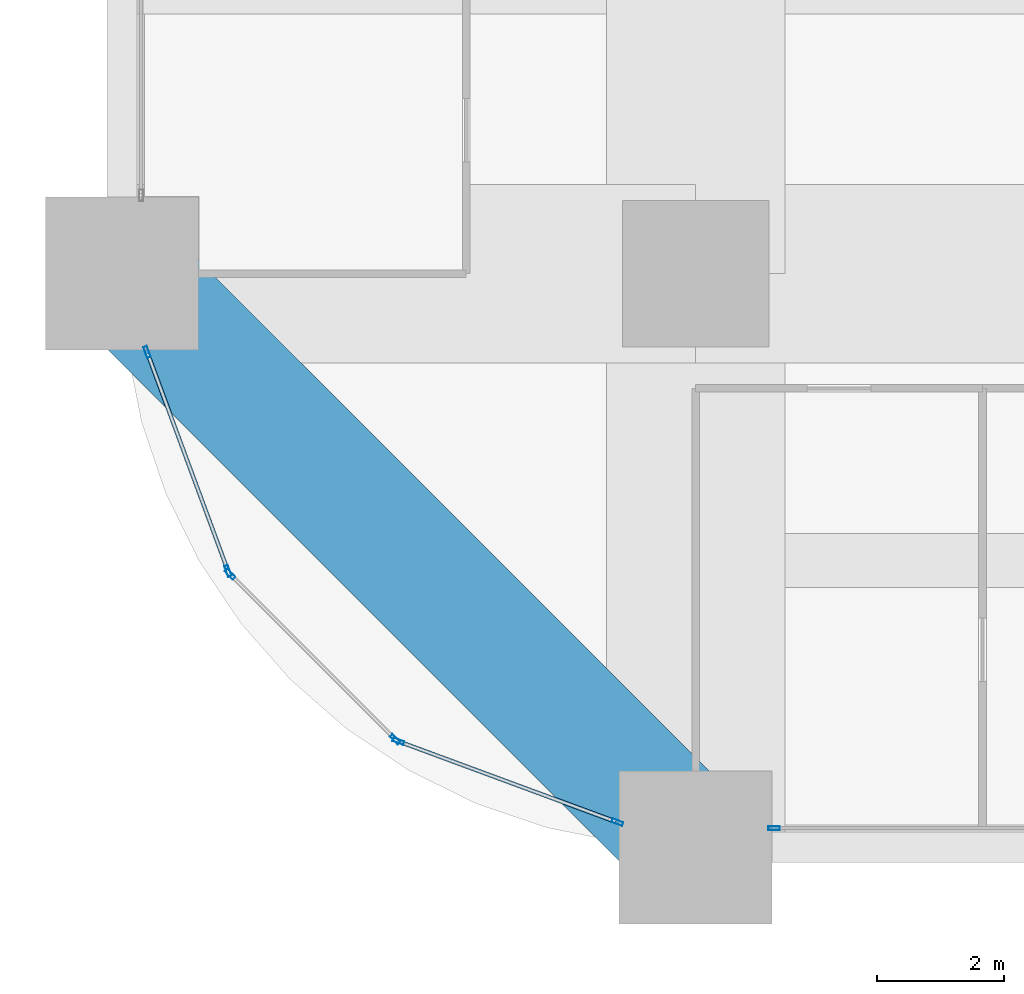
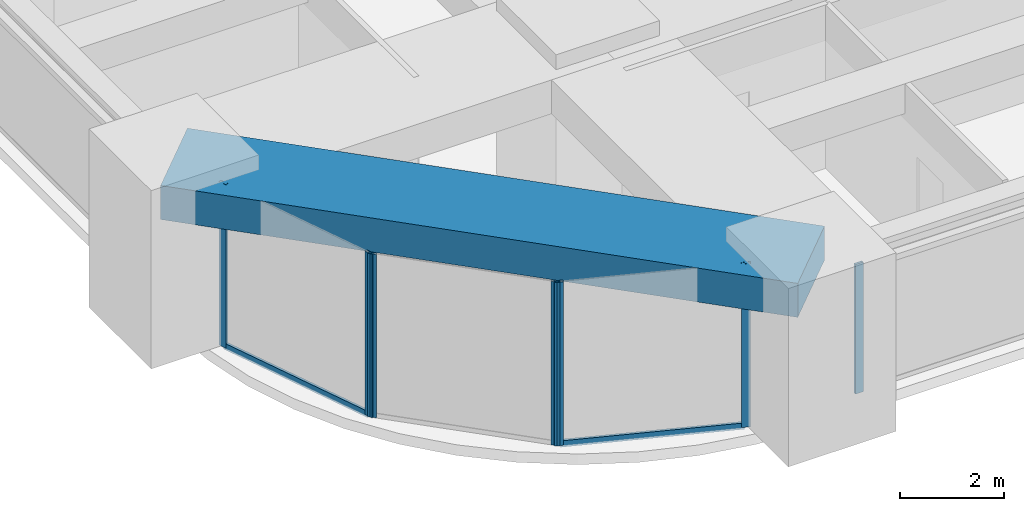
# One storey, part 2 of 42: 9 members, 1 beam, 4 elements without a shape of their own.
"""IFC4 building model written with IfcOpenShell, lengths in metres."""

from ifc_helpers import new_model, si_unit, direction, frame, origin, origin_2d, place, context, subcontext, project, spatial, rectangle, hollow_rectangle, extrude, material, material_profile, profile_set, type_object, element, aggregate, save


model = new_model("IFC4")

# Units and contexts
model_context = context("Model", 3, precision=1e-05, world=origin(), true_north=direction((0.0, 1.0)))
body_context = subcontext(model_context, "Body", "Model", "MODEL_VIEW")
ifc_project = project(units=[si_unit("LENGTHUNIT", "METRE"), si_unit("AREAUNIT", "SQUARE_METRE"), si_unit("VOLUMEUNIT", "CUBIC_METRE"), si_unit("PLANEANGLEUNIT", "RADIAN"), si_unit("MASSUNIT", "GRAM", prefix="KILO")], contexts=[model_context])

# Site, building, storey
site_placement = place(None, origin())
site = spatial("IfcSite", under=ifc_project, at=site_placement, CompositionType="ELEMENT")
building_placement = place(site_placement, origin())
building = spatial("IfcBuilding", under=site, at=building_placement, Name="Zorevar Civic Tower", CompositionType="ELEMENT")
storey_placement = place(building_placement, frame((0.0, 0.0, 75.800048828125)))
storey = spatial("IfcBuildingStorey", under=building, at=storey_placement, Name="L18", CompositionType="ELEMENT", Elevation=75.800048828125)

# Curtain wall, member
ifc_material_1 = material(Name="Dark grey solar-control glass in black aluminium frame", Category="aluminium")
curtain_wall_type = type_object("IfcCurtainWallType", Name="Curtain wall CW2 low zone", PredefinedType="NOTDEFINED", material=ifc_material_1)
curtain_wall_1_placement = place(storey_placement, origin())
curtain_wall_1 = element("IfcCurtainWall", 1, at=curtain_wall_1_placement, inside=storey, type_object=curtain_wall_type, Name="CW2 L18", PredefinedType="NOTDEFINED")
ifc_material_2 = material(Name="Aluminium, black anodised", Category="aluminium")
ifc_material_profile_1 = material_profile(ifc_material_2, hollow_rectangle(XDim=0.06005859375, YDim=0.179931640625, WallThickness=0.00390625, at=origin_2d()), Name="AL 180x60x4")
ifc_profile_set_1 = profile_set([ifc_material_profile_1], Name="Aluminium, black anodised")
member_type_1 = type_object("IfcMemberType", Name="CW2 mullion AL 180x60x4", PredefinedType="MULLION", material=ifc_profile_set_1)
member_1_placement = place(storey_placement, frame((10.22998046875, 0.300048828125, 0.0), z_axis=(0.0, 0.0, 1.0), x_axis=(0.0, 1.0, 0.0)))
member_1 = element("IfcMember", 2, at=member_1_placement, type_object=member_type_1, Name="CW2 mullion 1", PredefinedType="MULLION", context=body_context, shape_type="SweptSolid", body=[
    extrude(hollow_rectangle(XDim=0.06005859375, YDim=0.179931640625, WallThickness=0.00390625, at=origin_2d()), origin(), (0.0, 0.0, 1.0), 3.050048828125),
])
aggregate(curtain_wall_1, [member_1])

# Curtain wall, members
curtain_wall_2_placement = place(storey_placement, origin())
curtain_wall_2 = element("IfcCurtainWall", 3, at=curtain_wall_2_placement, inside=storey, type_object=curtain_wall_type, Name="CW2 L18", PredefinedType="NOTDEFINED")
member_2_placement = place(storey_placement, frame((0.3935546875, 7.77197265625, 0.0), z_axis=(0.0, 0.0, 1.0), x_axis=(0.937974588163, 0.346704012033, 0.0)))
member_2 = element("IfcMember", 4, at=member_2_placement, type_object=member_type_1, Name="CW2 mullion 1", PredefinedType="MULLION", context=body_context, shape_type="SweptSolid", body=[
    extrude(hollow_rectangle(XDim=0.06005859375, YDim=0.179931640625, WallThickness=0.00390625, at=origin_2d()), origin(), (0.0, 0.0, 1.0), 3.849853515625),
])
member_3_placement = place(storey_placement, frame((1.663818359375, 4.33544921875, 0.0), z_axis=(0.0, 0.0, 1.0), x_axis=(0.937974588163, 0.346704012033, 0.0)))
member_3 = element("IfcMember", 5, at=member_3_placement, type_object=member_type_1, Name="CW2 mullion 2", PredefinedType="MULLION", context=body_context, shape_type="SweptSolid", body=[
    extrude(hollow_rectangle(XDim=0.06005859375, YDim=0.179931640625, WallThickness=0.00390625, at=origin_2d()), origin(), (0.0, 0.0, 1.0), 3.849853515625),
])

curtain_wall_3_placement = place(storey_placement, origin())
curtain_wall_3 = element("IfcCurtainWall", 6, at=curtain_wall_3_placement, inside=storey, type_object=curtain_wall_type, Name="CW2 L18", PredefinedType="NOTDEFINED")
member_4_placement = place(storey_placement, frame((1.6953125, 4.2861328125, 0.0), z_axis=(0.0, 0.0, 1.0), x_axis=(0.707106781187, 0.707106781187, 0.0)))
member_4 = element("IfcMember", 7, at=member_4_placement, type_object=member_type_1, Name="CW2 mullion 1", PredefinedType="MULLION", context=body_context, shape_type="SweptSolid", body=[
    extrude(hollow_rectangle(XDim=0.06005859375, YDim=0.179931640625, WallThickness=0.00390625, at=origin_2d()), origin(), (0.0, 0.0, 1.0), 3.849853515625),
])
member_5_placement = place(storey_placement, frame((4.2861328125, 1.6953125, 0.0), z_axis=(0.0, 0.0, 1.0), x_axis=(0.707106781187, 0.707106781187, 0.0)))
member_5 = element("IfcMember", 8, at=member_5_placement, type_object=member_type_1, Name="CW2 mullion 2", PredefinedType="MULLION", context=body_context, shape_type="SweptSolid", body=[
    extrude(hollow_rectangle(XDim=0.06005859375, YDim=0.179931640625, WallThickness=0.00390625, at=origin_2d()), origin(), (0.0, 0.0, 1.0), 3.849853515625),
])
aggregate(curtain_wall_3, [member_4, member_5])

curtain_wall_4_placement = place(storey_placement, origin())
curtain_wall_4 = element("IfcCurtainWall", 9, at=curtain_wall_4_placement, inside=storey, type_object=curtain_wall_type, Name="CW2 L18", PredefinedType="NOTDEFINED")
member_6_placement = place(storey_placement, frame((4.33544921875, 1.663818359375, 0.0), z_axis=(0.0, 0.0, 1.0), x_axis=(0.346704012033, 0.937974588163, 0.0)))
member_6 = element("IfcMember", 10, at=member_6_placement, type_object=member_type_1, Name="CW2 mullion 1", PredefinedType="MULLION", context=body_context, shape_type="SweptSolid", body=[
    extrude(hollow_rectangle(XDim=0.06005859375, YDim=0.179931640625, WallThickness=0.00390625, at=origin_2d()), origin(), (0.0, 0.0, 1.0), 3.849853515625),
])
member_7_placement = place(storey_placement, frame((7.77197265625, 0.3935546875, 0.0), z_axis=(0.0, 0.0, 1.0), x_axis=(0.346704012033, 0.937974588163, 0.0)))
member_7 = element("IfcMember", 11, at=member_7_placement, type_object=member_type_1, Name="CW2 mullion 2", PredefinedType="MULLION", context=body_context, shape_type="SweptSolid", body=[
    extrude(hollow_rectangle(XDim=0.06005859375, YDim=0.179931640625, WallThickness=0.00390625, at=origin_2d()), origin(), (0.0, 0.0, 1.0), 3.849853515625),
])

# Member
ifc_material_3 = material(Name="Aluminium, black anodised", Category="aluminium")
ifc_material_profile_2 = material_profile(ifc_material_3, hollow_rectangle(XDim=0.06005859375, YDim=0.14990234375, WallThickness=0.00390625, at=origin_2d()), Name="AL 150x60x4")
ifc_profile_set_2 = profile_set([ifc_material_profile_2], Name="Aluminium, black anodised")
member_type_2 = type_object("IfcMemberType", Name="CW2 transom AL 150x60x4", PredefinedType="USERDEFINED", material=ifc_profile_set_2)
member_8_placement = place(storey_placement, frame((0.404052734375, 7.74365234375, 0.030029296875), z_axis=(0.346672169799, -0.93798635741, 0.0), x_axis=(0.93798635741, 0.346672169799, 0.0)))
member_8 = element("IfcMember", 12, at=member_8_placement, type_object=member_type_2, Name="CW2 sill transom", ObjectType="TRANSOM", PredefinedType="USERDEFINED", context=body_context, shape_type="SweptSolid", body=[
    extrude(hollow_rectangle(XDim=0.06005859375, YDim=0.14990234375, WallThickness=0.00390625, at=origin_2d()), origin(), (0.0, 0.0, 1.0), 3.603515625),
])

aggregate(curtain_wall_2, [member_2, member_3, member_8])

member_9_placement = place(storey_placement, frame((4.363525390625, 1.6533203125, 0.030029296875), z_axis=(0.93798635741, -0.346672169799, 0.0), x_axis=(0.346672169799, 0.93798635741, 0.0)))
member_9 = element("IfcMember", 13, at=member_9_placement, type_object=member_type_2, Name="CW2 sill transom", ObjectType="TRANSOM", PredefinedType="USERDEFINED", context=body_context, shape_type="SweptSolid", body=[
    extrude(hollow_rectangle(XDim=0.06005859375, YDim=0.14990234375, WallThickness=0.00390625, at=origin_2d()), origin(), (0.0, 0.0, 1.0), 3.603515625),
])

aggregate(curtain_wall_4, [member_6, member_7, member_9])

# Beam
ifc_material_4 = material(Name="Concrete C50/60", Category="concrete")
ifc_material_profile_3 = material_profile(ifc_material_4, rectangle(XDim=2.0, YDim=0.800048828125, at=origin_2d()), Name="RC 2000x800")
ifc_profile_set_3 = profile_set([ifc_material_profile_3], Name="Concrete C50/60")
beam_type = type_object("IfcBeamType", Name="Edge beam RC 2000x800", PredefinedType="SPANDREL", material=ifc_profile_set_3)
beam_placement = place(storey_placement, frame((0.0, 9.0, 3.449951171875), z_axis=(0.707106781187, -0.707106781187, 0.0), x_axis=(0.707106781187, 0.707106781187, 0.0)))
element("IfcBeam", 14, at=beam_placement, inside=storey, type_object=beam_type, Name="Corner edge beam L19", PredefinedType="SPANDREL", context=body_context, shape_type="SweptSolid", body=[
    extrude(rectangle(XDim=2.0, YDim=0.800048828125, at=origin_2d()), origin(), (0.0, 0.0, 1.0), 12.72802734375),
])

save(model, "model.ifc")
